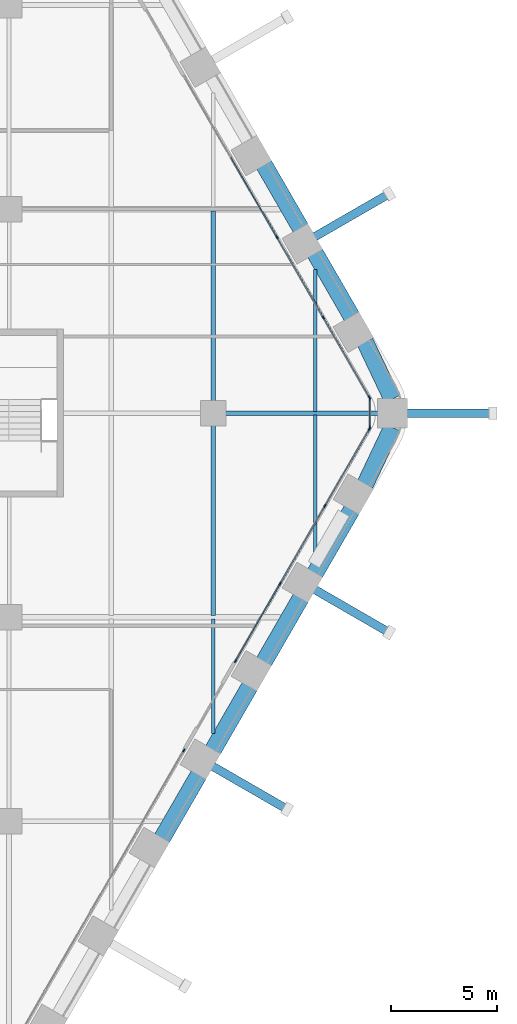
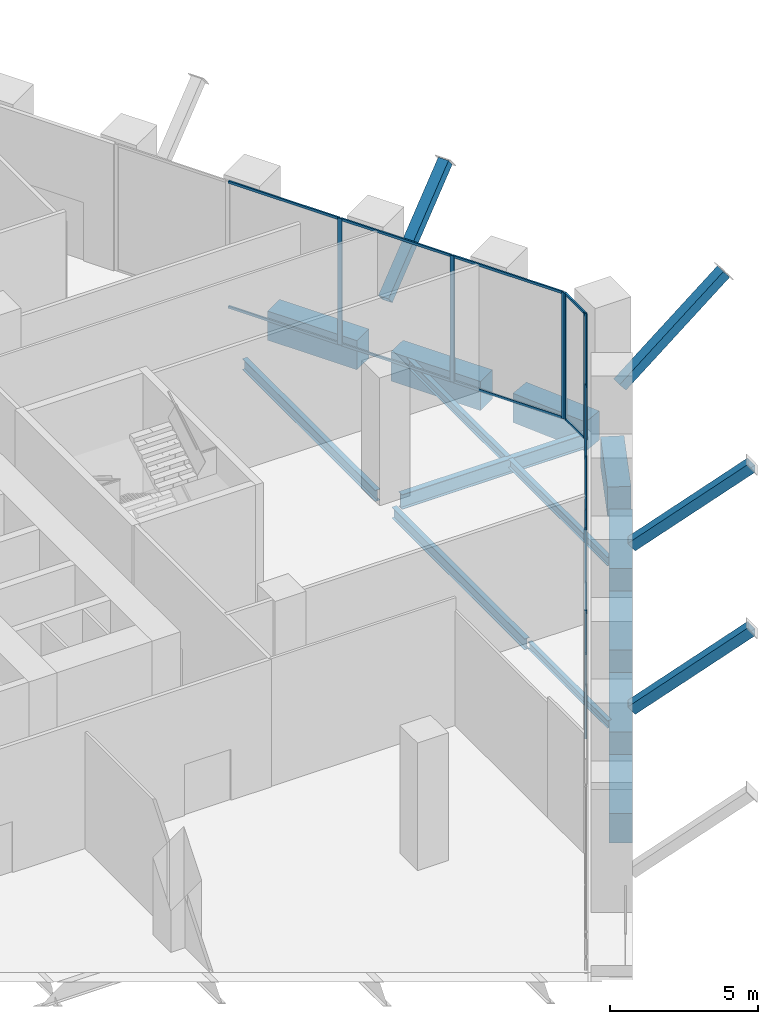
# One storey, part 12 of 29: 28 members, 14 beams, 4 elements without a shape of their own.
"""IFC4 building model written with IfcOpenShell, lengths in metres."""

from ifc_helpers import new_model, si_unit, direction, frame, origin, origin_2d, place, context, subcontext, project, spatial, rectangle, hollow_rectangle, i_section, extrude, material, material_profile, profile_set, type_object, element, aggregate, save


model = new_model("IFC4")

# Units and contexts
model_context = context("Model", 3, precision=1e-05, world=origin(), true_north=direction((0.0, 1.0)))
body_context = subcontext(model_context, "Body", "Model", "MODEL_VIEW")
ifc_project = project(units=[si_unit("LENGTHUNIT", "METRE"), si_unit("AREAUNIT", "SQUARE_METRE"), si_unit("VOLUMEUNIT", "CUBIC_METRE"), si_unit("PLANEANGLEUNIT", "RADIAN"), si_unit("MASSUNIT", "GRAM", prefix="KILO")], contexts=[model_context])

# Site, building, storey
site_placement = place(None, origin())
site = spatial("IfcSite", under=ifc_project, at=site_placement, CompositionType="ELEMENT")
building_placement = place(site_placement, origin())
building = spatial("IfcBuilding", under=site, at=building_placement, Name="Kolab Exchange Tower", CompositionType="ELEMENT")
storey_placement = place(building_placement, frame((0.0, 0.0, 55.39990234375)))
storey = spatial("IfcBuildingStorey", under=building, at=storey_placement, Name="L10", CompositionType="ELEMENT", Elevation=55.39990234375)

# Beams
ifc_material_1 = material(Name="Steel S355", Category="steel")
ifc_material_profile_1 = material_profile(ifc_material_1, i_section(OverallWidth=0.1650390625, OverallDepth=0.31005859375, WebThickness=0.005859375, FlangeThickness=0.009765625, at=origin_2d()), Name="W310X39")
ifc_profile_set_1 = profile_set([ifc_material_profile_1], Name="Steel S355")
beam_type_1 = type_object("IfcBeamType", Name="FLOOR BEAM W310X39", PredefinedType="BEAM", material=ifc_profile_set_1)
beam_1_placement = place(storey_placement, frame((28.800048828125, -15.067626953125, -0.40478515625), z_axis=(0.0, 1.0, 0.0), x_axis=(-1.0, 0.0, 0.0)))
element("IfcBeam", 1, at=beam_1_placement, inside=storey, type_object=beam_type_1, Name="beam/L10/fr/058", PredefinedType="BEAM", context=body_context, shape_type="SweptSolid", body=[
    extrude(i_section(OverallWidth=0.1650390625, OverallDepth=0.31005859375, WebThickness=0.005859375, FlangeThickness=0.009765625, at=origin_2d()), origin(), (0.0, 0.0, 1.0), 5.3740234375),
])
ifc_material_profile_2 = material_profile(ifc_material_1, i_section(OverallWidth=0.1708984375, OverallDepth=0.35498046875, WebThickness=0.007080078125, FlangeThickness=0.01171875, at=origin_2d()), Name="W360X51")
ifc_profile_set_2 = profile_set([ifc_material_profile_2], Name="Steel S355")
beam_type_2 = type_object("IfcBeamType", Name="FLOOR BEAM W360X51", PredefinedType="BEAM", material=ifc_profile_set_2)
for number, where, z_axis, x_axis, name in (
    (2, (33.60009765625, -6.75390625, -0.427490234375), (0.0, 1.0, 0.0), (-1.0, 0.0, 0.0), "beam/L10/fr/062"),
    (3, (33.60009765625, 0.073974609375, -0.427490234375), (0.0, 1.0, 0.0), (-1.0, 0.0, 0.0), "beam/L10/fr/063"),
):
    element("IfcBeam", number, at=place(storey_placement, frame(where, z_axis=z_axis, x_axis=x_axis)), inside=storey, type_object=beam_type_2, Name=name, PredefinedType="BEAM", context=body_context, shape_type="SweptSolid", body=[
        extrude(i_section(OverallWidth=0.1708984375, OverallDepth=0.35498046875, WebThickness=0.007080078125, FlangeThickness=0.01171875, at=origin_2d()), origin(), (0.0, 0.0, 1.0), 6.679931640625),
    ])
ifc_material_profile_3 = material_profile(ifc_material_1, i_section(OverallWidth=0.18994140625, OverallDepth=0.45703125, WebThickness=0.009033203125, FlangeThickness=0.014404296875, at=origin_2d()), Name="W460X74")
ifc_profile_set_3 = profile_set([ifc_material_profile_3], Name="Steel S355")
beam_type_3 = type_object("IfcBeamType", Name="FLOOR BEAM W460X74", PredefinedType="BEAM", material=ifc_profile_set_3)
for number, where, z_axis, x_axis, name in (
    (4, (28.800048828125, -9.506591796875, -0.478515625), (0.0, 1.0, 0.0), (-1.0, 0.0, 0.0), "beam/L10/fr/059"),
    (5, (28.800048828125, 0.56005859375, -0.478515625), (0.0, 1.0, 0.0), (-1.0, 0.0, 0.0), "beam/L10/fr/060"),
):
    element("IfcBeam", number, at=place(storey_placement, frame(where, z_axis=z_axis, x_axis=x_axis)), inside=storey, type_object=beam_type_3, Name=name, PredefinedType="BEAM", context=body_context, shape_type="SweptSolid", body=[
        extrude(i_section(OverallWidth=0.18994140625, OverallDepth=0.45703125, WebThickness=0.009033203125, FlangeThickness=0.014404296875, at=origin_2d()), origin(), (0.0, 0.0, 1.0), 8.946533203125),
    ])
ifc_material_profile_4 = material_profile(ifc_material_1, i_section(OverallWidth=0.22802734375, OverallDepth=0.60791015625, WebThickness=0.01123046875, FlangeThickness=0.017333984375, at=origin_2d()), Name="W610X113")
ifc_profile_set_4 = profile_set([ifc_material_profile_4], Name="Steel S355")
beam_type_4 = type_object("IfcBeamType", Name="FLOOR GIRDER W610X113", PredefinedType="BEAM", material=ifc_profile_set_4)
beam_2_placement = place(storey_placement, frame((29.360107421875, 0.0, -0.553955078125), z_axis=(1.0, 0.0, 0.0), x_axis=(0.0, 1.0, 0.0)))
element("IfcBeam", 6, at=beam_2_placement, inside=storey, type_object=beam_type_4, Name="beam/L10/gd/025", PredefinedType="BEAM", context=body_context, shape_type="SweptSolid", body=[
    extrude(i_section(OverallWidth=0.22802734375, OverallDepth=0.60791015625, WebThickness=0.01123046875, FlangeThickness=0.017333984375, at=origin_2d()), origin(), (0.0, 0.0, 1.0), 7.2158203125),
])

# Members
ifc_material_profile_5 = material_profile(ifc_material_1, hollow_rectangle(XDim=0.39990234375, YDim=0.39990234375, WallThickness=0.02001953125, at=origin_2d()), Name="HSS400X400X20")
ifc_profile_set_5 = profile_set([ifc_material_profile_5], Name="Steel S355")
member_type_1 = type_object("IfcMemberType", Name="LEDGE STRUT HSS400X400X20", PredefinedType="STRUT", material=ifc_profile_set_5)
member_1_placement = place(storey_placement, frame((33.5654296875, 8.293701171875, 1.22802734375), z_axis=(0.675602790468, 0.39005913672, 0.625631472493), x_axis=(-0.499999695987, 0.866025579307, 0.0)))
element("IfcMember", 7, at=member_1_placement, inside=storey, type_object=member_type_1, Name="mem/L10/ledge/strut-3", PredefinedType="STRUT", context=body_context, shape_type="SweptSolid", body=[
    extrude(hollow_rectangle(XDim=0.39990234375, YDim=0.39990234375, WallThickness=0.02001953125, at=origin_2d()), origin(), (0.0, 0.0, 1.0), 5.1787109375),
])
member_2_placement = place(storey_placement, frame((37.89599609375, 0.0, 1.22802734375), z_axis=(0.780100108705, 0.0, 0.625654713399), x_axis=(0.0, 1.0, 0.0)))
element("IfcMember", 8, at=member_2_placement, inside=storey, type_object=member_type_1, Name="mem/L10/ledge/strut-4", PredefinedType="STRUT", context=body_context, shape_type="SweptSolid", body=[
    extrude(hollow_rectangle(XDim=0.39990234375, YDim=0.39990234375, WallThickness=0.02001953125, at=origin_2d()), origin(), (0.0, 0.0, 1.0), 5.178466796875),
])
for number, where, z_axis, x_axis, name in (
    (9, (33.5654296875, -8.293701171875, 1.22802734375), (0.675602790468, -0.39005913672, 0.625631472493), (0.499999695987, 0.866025579307, 0.0), "mem/L10/ledge/strut-5"),
    (10, (28.765380859375, -16.607666015625, 1.22802734375), (0.675602790468, -0.39005913672, 0.625631472493), (0.499999695987, 0.866025579307, 0.0), "mem/L10/ledge/strut-6"),
):
    element("IfcMember", number, at=place(storey_placement, frame(where, z_axis=z_axis, x_axis=x_axis)), inside=storey, type_object=member_type_1, Name=name, PredefinedType="STRUT", context=body_context, shape_type="SweptSolid", body=[
        extrude(hollow_rectangle(XDim=0.39990234375, YDim=0.39990234375, WallThickness=0.02001953125, at=origin_2d()), origin(), (0.0, 0.0, 1.0), 5.1787109375),
    ])

# Beams
ifc_material_2 = material(Name="Concrete C80/95", Category="concrete")
ifc_material_profile_6 = material_profile(ifc_material_2, rectangle(XDim=0.800048828125, YDim=1.199951171875, at=origin_2d()), Name="RC800X1200")
ifc_profile_set_6 = profile_set([ifc_material_profile_6], Name="Concrete C80/95")
beam_type_5 = type_object("IfcBeamType", Name="SPANDREL BEAM 800X1200 C80/95", PredefinedType="BEAM", material=ifc_profile_set_6)
beam_3_placement = place(storey_placement, frame((31.18359375, 11.69921875, -0.849853515625), z_axis=(0.499979528911, -0.866037222451, 0.0), x_axis=(0.866037222451, 0.499979528911, 0.0)))
element("IfcBeam", 11, at=beam_3_placement, inside=storey, type_object=beam_type_5, Name="beam/L10/sp/F2-06", PredefinedType="BEAM", context=body_context, shape_type="SweptSolid", body=[
    extrude(rectangle(XDim=0.800048828125, YDim=1.199951171875, at=origin_2d()), origin(), (0.0, 0.0, 1.0), 3.480224609375),
])
beam_4_placement = place(storey_placement, frame((33.58349609375, 7.542236328125, -0.849853515625), z_axis=(0.500009906705, -0.86601968407, 0.0), x_axis=(0.86601968407, 0.500009906705, 0.0)))
element("IfcBeam", 12, at=beam_4_placement, inside=storey, type_object=beam_type_5, Name="beam/L10/sp/F2-07", PredefinedType="BEAM", context=body_context, shape_type="SweptSolid", body=[
    extrude(rectangle(XDim=0.800048828125, YDim=1.199951171875, at=origin_2d()), origin(), (0.0, 0.0, 1.0), 3.47998046875),
])
for number, where, z_axis, x_axis, name in (
    (13, (35.93798828125, 3.35888671875, -0.849853515625), (0.429555669245, -0.903040379507, 0.0), (0.903040379507, 0.429555669245, 0.0), "beam/L10/sp/F2-08"),
    (14, (37.219970703125, -0.663818359375, -0.849853515625), (-0.429555669245, -0.903040379507, 0.0), (0.903040379507, -0.429555669245, 0.0), "beam/L10/sp/F3-01"),
):
    element("IfcBeam", number, at=place(storey_placement, frame(where, z_axis=z_axis, x_axis=x_axis)), inside=storey, type_object=beam_type_5, Name=name, PredefinedType="BEAM", context=body_context, shape_type="SweptSolid", body=[
        extrude(rectangle(XDim=0.800048828125, YDim=1.199951171875, at=origin_2d()), origin(), (0.0, 0.0, 1.0), 2.984375),
    ])
beam_5_placement = place(storey_placement, frame((35.323486328125, -4.528564453125, -0.849853515625), z_axis=(-0.500009906705, -0.86601968407, 0.0), x_axis=(0.86601968407, -0.500009906705, 0.0)))
element("IfcBeam", 15, at=beam_5_placement, inside=storey, type_object=beam_type_5, Name="beam/L10/sp/F3-02", PredefinedType="BEAM", context=body_context, shape_type="SweptSolid", body=[
    extrude(rectangle(XDim=0.800048828125, YDim=1.199951171875, at=origin_2d()), origin(), (0.0, 0.0, 1.0), 3.47998046875),
])
for number, where, z_axis, x_axis, name in (
    (16, (32.923583984375, -8.685302734375, -0.849853515625), (-0.499979528911, -0.866037222451, 0.0), (0.866037222451, -0.499979528911, 0.0), "beam/L10/sp/F3-03"),
    (17, (30.523681640625, -12.84228515625, -0.849853515625), (-0.499979528911, -0.866037222451, 0.0), (0.866037222451, -0.499979528911, 0.0), "beam/L10/sp/F3-04"),
):
    element("IfcBeam", number, at=place(storey_placement, frame(where, z_axis=z_axis, x_axis=x_axis)), inside=storey, type_object=beam_type_5, Name=name, PredefinedType="BEAM", context=body_context, shape_type="SweptSolid", body=[
        extrude(rectangle(XDim=0.800048828125, YDim=1.199951171875, at=origin_2d()), origin(), (0.0, 0.0, 1.0), 3.480224609375),
    ])
beam_6_placement = place(storey_placement, frame((28.12353515625, -16.999267578125, -0.849853515625), z_axis=(-0.500009906705, -0.86601968407, 0.0), x_axis=(0.86601968407, -0.500009906705, 0.0)))
element("IfcBeam", 18, at=beam_6_placement, inside=storey, type_object=beam_type_5, Name="beam/L10/sp/F3-05", PredefinedType="BEAM", context=body_context, shape_type="SweptSolid", body=[
    extrude(rectangle(XDim=0.800048828125, YDim=1.199951171875, at=origin_2d()), origin(), (0.0, 0.0, 1.0), 3.47998046875),
])

# Curtain wall, members
ifc_material_3 = material(Name="Aluminium EN AW-6063 T6", Category="aluminium")
curtain_wall_type = type_object("IfcCurtainWallType", Name="UNITISED LOW ZONE CURTAIN WALL", PredefinedType="NOTDEFINED", material=ifc_material_3)
curtain_wall_1_placement = place(storey_placement, origin())
curtain_wall_1 = element("IfcCurtainWall", 19, at=curtain_wall_1_placement, inside=storey, type_object=curtain_wall_type, Name="cw/L10/F2-2", PredefinedType="NOTDEFINED")
ifc_material_profile_7 = material_profile(ifc_material_3, rectangle(XDim=0.06005859375, YDim=0.159912109375, at=origin_2d()), Name="RECT 60X160")
ifc_profile_set_7 = profile_set([ifc_material_profile_7], Name="Aluminium EN AW-6063 T6")
member_type_2 = type_object("IfcMemberType", Name="UNITISED LOW ZONE MULLION 60 X 160", PredefinedType="MULLION", material=ifc_profile_set_7)
member_3_placement = place(storey_placement, frame((31.798583984375, 8.27392578125, 0.0), z_axis=(0.0, 0.0, 1.0), x_axis=(0.866025422102, 0.499999968274, 0.0)))
member_3 = element("IfcMember", 20, at=member_3_placement, type_object=member_type_2, Name="CW1 mullion 3", PredefinedType="MULLION", context=body_context, shape_type="SweptSolid", body=[
    extrude(rectangle(XDim=0.06005859375, YDim=0.159912109375, at=origin_2d()), origin(), (0.0, 0.0, 1.0), 5.2001953125),
])
member_4_placement = place(storey_placement, frame((33.982177734375, 4.491943359375, 0.0), z_axis=(0.0, 0.0, 1.0), x_axis=(0.866025422102, 0.499999968274, 0.0)))
member_4 = element("IfcMember", 21, at=member_4_placement, type_object=member_type_2, Name="CW1 mullion 4", PredefinedType="MULLION", context=body_context, shape_type="SweptSolid", body=[
    extrude(rectangle(XDim=0.06005859375, YDim=0.159912109375, at=origin_2d()), origin(), (0.0, 0.0, 1.0), 5.2001953125),
])
member_5_placement = place(storey_placement, frame((36.150634765625, 0.736083984375, 0.0), z_axis=(0.0, 0.0, 1.0), x_axis=(0.866025422102, 0.499999968274, 0.0)))
member_5 = element("IfcMember", 22, at=member_5_placement, type_object=member_type_2, Name="CW1 mullion 5", PredefinedType="MULLION", context=body_context, shape_type="SweptSolid", body=[
    extrude(rectangle(XDim=0.06005859375, YDim=0.159912109375, at=origin_2d()), origin(), (0.0, 0.0, 1.0), 5.2001953125),
])

curtain_wall_2_placement = place(storey_placement, origin())
curtain_wall_2 = element("IfcCurtainWall", 23, at=curtain_wall_2_placement, inside=storey, type_object=curtain_wall_type, Name="cw/L10/F3-1", PredefinedType="NOTDEFINED")
member_6_placement = place(storey_placement, frame((36.150634765625, -0.736083984375, 0.0), z_axis=(0.0, 0.0, 1.0), x_axis=(0.866025427826, -0.499999958358, 0.0)))
member_6 = element("IfcMember", 24, at=member_6_placement, type_object=member_type_2, Name="CW1 mullion 1", PredefinedType="MULLION", context=body_context, shape_type="SweptSolid", body=[
    extrude(rectangle(XDim=0.06005859375, YDim=0.159912109375, at=origin_2d()), origin(), (0.0, 0.0, 1.0), 5.2001953125),
])
member_7_placement = place(storey_placement, frame((34.054443359375, -4.366943359375, 0.0), z_axis=(0.0, 0.0, 1.0), x_axis=(0.866025427826, -0.499999958358, 0.0)))
member_7 = element("IfcMember", 25, at=member_7_placement, type_object=member_type_2, Name="CW1 mullion 2", PredefinedType="MULLION", context=body_context, shape_type="SweptSolid", body=[
    extrude(rectangle(XDim=0.06005859375, YDim=0.159912109375, at=origin_2d()), origin(), (0.0, 0.0, 1.0), 5.2001953125),
])
member_8_placement = place(storey_placement, frame((31.943115234375, -8.02392578125, 0.0), z_axis=(0.0, 0.0, 1.0), x_axis=(0.866025427826, -0.499999958358, 0.0)))
member_8 = element("IfcMember", 26, at=member_8_placement, type_object=member_type_2, Name="CW1 mullion 3", PredefinedType="MULLION", context=body_context, shape_type="SweptSolid", body=[
    extrude(rectangle(XDim=0.06005859375, YDim=0.159912109375, at=origin_2d()), origin(), (0.0, 0.0, 1.0), 5.2001953125),
])
member_9_placement = place(storey_placement, frame((29.8466796875, -11.65478515625, 0.0), z_axis=(0.0, 0.0, 1.0), x_axis=(0.866025427826, -0.499999958358, 0.0)))
member_9 = element("IfcMember", 27, at=member_9_placement, type_object=member_type_2, Name="CW1 mullion 4", PredefinedType="MULLION", context=body_context, shape_type="SweptSolid", body=[
    extrude(rectangle(XDim=0.06005859375, YDim=0.159912109375, at=origin_2d()), origin(), (0.0, 0.0, 1.0), 5.2001953125),
])

# Curtain wall, member
curtain_wall_3_placement = place(storey_placement, origin())
curtain_wall_3 = element("IfcCurtainWall", 28, at=curtain_wall_3_placement, inside=storey, type_object=curtain_wall_type, Name="cw/L10/F3-2", PredefinedType="NOTDEFINED")
member_10_placement = place(storey_placement, frame((27.416748046875, -15.86376953125, 0.0), z_axis=(0.0, 0.0, 1.0), x_axis=(0.866025397318, -0.5000000112, 0.0)))
member_10 = element("IfcMember", 29, at=member_10_placement, type_object=member_type_2, Name="CW1 mullion 1", PredefinedType="MULLION", context=body_context, shape_type="SweptSolid", body=[
    extrude(rectangle(XDim=0.06005859375, YDim=0.159912109375, at=origin_2d()), origin(), (0.0, 0.0, 1.0), 5.2001953125),
])
aggregate(curtain_wall_3, [member_10])

# Curtain wall, members
curtain_wall_4_placement = place(storey_placement, origin())
curtain_wall_4 = element("IfcCurtainWall", 30, at=curtain_wall_4_placement, inside=storey, type_object=curtain_wall_type, Name="cw/L10/F2F3-corner", PredefinedType="NOTDEFINED")
member_11_placement = place(storey_placement, frame((36.165771484375, 0.679931640625, 0.0), z_axis=(0.0, 0.0, 1.0), x_axis=(1.0, 0.0, 0.0)))
member_11 = element("IfcMember", 31, at=member_11_placement, type_object=member_type_2, Name="CW1 mullion 1", PredefinedType="MULLION", context=body_context, shape_type="SweptSolid", body=[
    extrude(rectangle(XDim=0.06005859375, YDim=0.159912109375, at=origin_2d()), origin(), (0.0, 0.0, 1.0), 5.2001953125),
])
member_12_placement = place(storey_placement, frame((36.165771484375, -0.679931640625, 0.0), z_axis=(0.0, 0.0, 1.0), x_axis=(1.0, 0.0, 0.0)))
member_12 = element("IfcMember", 32, at=member_12_placement, type_object=member_type_2, Name="CW1 mullion 2", PredefinedType="MULLION", context=body_context, shape_type="SweptSolid", body=[
    extrude(rectangle(XDim=0.06005859375, YDim=0.159912109375, at=origin_2d()), origin(), (0.0, 0.0, 1.0), 5.2001953125),
])

# Member
ifc_material_profile_8 = material_profile(ifc_material_3, rectangle(XDim=0.06005859375, YDim=0.10009765625, at=origin_2d()), Name="RECT 60X100")
ifc_profile_set_8 = profile_set([ifc_material_profile_8], Name="Aluminium EN AW-6063 T6")
member_type_3 = type_object("IfcMemberType", Name="UNITISED LOW ZONE TRANSOM 60 X 100", PredefinedType="USERDEFINED", material=ifc_profile_set_8)
member_13_placement = place(storey_placement, frame((29.630126953125, 12.02978515625, 0.030029296875), z_axis=(0.500010313095, -0.866019449435, 0.0), x_axis=(0.866019449435, 0.500010313095, 0.0)))
member_13 = element("IfcMember", 33, at=member_13_placement, type_object=member_type_3, Name="CW1 transom 2.1", ObjectType="TRANSOM", PredefinedType="USERDEFINED", context=body_context, shape_type="SweptSolid", body=[
    extrude(rectangle(XDim=0.06005859375, YDim=0.10009765625, at=origin_2d()), origin(), (0.0, 0.0, 1.0), 4.30712890625),
])

member_14_placement = place(storey_placement, frame((29.630126953125, 12.02978515625, 5.170166015625), z_axis=(0.500010313095, -0.866019449435, 0.0), x_axis=(0.866019449435, 0.500010313095, 0.0)))
member_14 = element("IfcMember", 34, at=member_14_placement, type_object=member_type_3, Name="CW1 transom 2.2", ObjectType="TRANSOM", PredefinedType="USERDEFINED", context=body_context, shape_type="SweptSolid", body=[
    extrude(rectangle(XDim=0.06005859375, YDim=0.10009765625, at=origin_2d()), origin(), (0.0, 0.0, 1.0), 4.30712890625),
])

member_15_placement = place(storey_placement, frame((31.813720703125, 8.247802734375, 0.030029296875), z_axis=(0.499967798808, -0.866043994353, 0.0), x_axis=(0.866043994353, 0.499967798808, 0.0)))
member_15 = element("IfcMember", 35, at=member_15_placement, type_object=member_type_3, Name="CW1 transom 3.1", ObjectType="TRANSOM", PredefinedType="USERDEFINED", context=body_context, shape_type="SweptSolid", body=[
    extrude(rectangle(XDim=0.06005859375, YDim=0.10009765625, at=origin_2d()), origin(), (0.0, 0.0, 1.0), 4.306884765625),
])

member_16_placement = place(storey_placement, frame((31.813720703125, 8.247802734375, 5.170166015625), z_axis=(0.499967798808, -0.866043994353, 0.0), x_axis=(0.866043994353, 0.499967798808, 0.0)))
member_16 = element("IfcMember", 36, at=member_16_placement, type_object=member_type_3, Name="CW1 transom 3.2", ObjectType="TRANSOM", PredefinedType="USERDEFINED", context=body_context, shape_type="SweptSolid", body=[
    extrude(rectangle(XDim=0.06005859375, YDim=0.10009765625, at=origin_2d()), origin(), (0.0, 0.0, 1.0), 4.306884765625),
])

member_17_placement = place(storey_placement, frame((33.9970703125, 4.4658203125, 0.030029296875), z_axis=(0.500043627578, -0.866000213925, 0.0), x_axis=(0.866000213925, 0.500043627578, 0.0)))
member_17 = element("IfcMember", 37, at=member_17_placement, type_object=member_type_3, Name="CW1 transom 4.1", ObjectType="TRANSOM", PredefinedType="USERDEFINED", context=body_context, shape_type="SweptSolid", body=[
    extrude(rectangle(XDim=0.06005859375, YDim=0.10009765625, at=origin_2d()), origin(), (0.0, 0.0, 1.0), 4.27685546875),
])

member_18_placement = place(storey_placement, frame((33.9970703125, 4.4658203125, 5.170166015625), z_axis=(0.500043627578, -0.866000213925, 0.0), x_axis=(0.866000213925, 0.500043627578, 0.0)))
member_18 = element("IfcMember", 38, at=member_18_placement, type_object=member_type_3, Name="CW1 transom 4.2", ObjectType="TRANSOM", PredefinedType="USERDEFINED", context=body_context, shape_type="SweptSolid", body=[
    extrude(rectangle(XDim=0.06005859375, YDim=0.10009765625, at=origin_2d()), origin(), (0.0, 0.0, 1.0), 4.27685546875),
])

aggregate(curtain_wall_1, [member_3, member_4, member_5, member_13, member_14, member_15, member_16, member_17, member_18])

member_19_placement = place(storey_placement, frame((36.1357421875, -0.761962890625, 0.030029296875), z_axis=(-0.500027577057, -0.866009481578, 0.0), x_axis=(0.866009481578, -0.500027577057, 0.0)))
member_19 = element("IfcMember", 39, at=member_19_placement, type_object=member_type_3, Name="CW1 transom 1.1", ObjectType="TRANSOM", PredefinedType="USERDEFINED", context=body_context, shape_type="SweptSolid", body=[
    extrude(rectangle(XDim=0.06005859375, YDim=0.10009765625, at=origin_2d()), origin(), (0.0, 0.0, 1.0), 4.132568359375),
])

member_20_placement = place(storey_placement, frame((36.1357421875, -0.761962890625, 5.170166015625), z_axis=(-0.500027577057, -0.866009481578, 0.0), x_axis=(0.866009481578, -0.500027577057, 0.0)))
member_20 = element("IfcMember", 40, at=member_20_placement, type_object=member_type_3, Name="CW1 transom 1.2", ObjectType="TRANSOM", PredefinedType="USERDEFINED", context=body_context, shape_type="SweptSolid", body=[
    extrude(rectangle(XDim=0.06005859375, YDim=0.10009765625, at=origin_2d()), origin(), (0.0, 0.0, 1.0), 4.132568359375),
])

member_21_placement = place(storey_placement, frame((34.039306640625, -4.392822265625, 0.030029296875), z_axis=(-0.49999322259, -0.866029316688, 0.0), x_axis=(0.866029316688, -0.49999322259, 0.0)))
member_21 = element("IfcMember", 41, at=member_21_placement, type_object=member_type_3, Name="CW1 transom 2.1", ObjectType="TRANSOM", PredefinedType="USERDEFINED", context=body_context, shape_type="SweptSolid", body=[
    extrude(rectangle(XDim=0.06005859375, YDim=0.10009765625, at=origin_2d()), origin(), (0.0, 0.0, 1.0), 4.16259765625),
])

member_22_placement = place(storey_placement, frame((34.039306640625, -4.392822265625, 5.170166015625), z_axis=(-0.49999322259, -0.866029316688, 0.0), x_axis=(0.866029316688, -0.49999322259, 0.0)))
member_22 = element("IfcMember", 42, at=member_22_placement, type_object=member_type_3, Name="CW1 transom 2.2", ObjectType="TRANSOM", PredefinedType="USERDEFINED", context=body_context, shape_type="SweptSolid", body=[
    extrude(rectangle(XDim=0.06005859375, YDim=0.10009765625, at=origin_2d()), origin(), (0.0, 0.0, 1.0), 4.16259765625),
])

member_23_placement = place(storey_placement, frame((31.927978515625, -8.0498046875, 0.030029296875), z_axis=(-0.500001996123, -0.866024251319, 0.0), x_axis=(0.866024251319, -0.500001996123, 0.0)))
member_23 = element("IfcMember", 43, at=member_23_placement, type_object=member_type_3, Name="CW1 transom 3.1", ObjectType="TRANSOM", PredefinedType="USERDEFINED", context=body_context, shape_type="SweptSolid", body=[
    extrude(rectangle(XDim=0.06005859375, YDim=0.10009765625, at=origin_2d()), origin(), (0.0, 0.0, 1.0), 4.1328125),
])

member_24_placement = place(storey_placement, frame((31.927978515625, -8.0498046875, 5.170166015625), z_axis=(-0.500001996123, -0.866024251319, 0.0), x_axis=(0.866024251319, -0.500001996123, 0.0)))
member_24 = element("IfcMember", 44, at=member_24_placement, type_object=member_type_3, Name="CW1 transom 3.2", ObjectType="TRANSOM", PredefinedType="USERDEFINED", context=body_context, shape_type="SweptSolid", body=[
    extrude(rectangle(XDim=0.06005859375, YDim=0.10009765625, at=origin_2d()), origin(), (0.0, 0.0, 1.0), 4.1328125),
])

aggregate(curtain_wall_2, [member_6, member_7, member_8, member_9, member_19, member_20, member_21, member_22, member_23, member_24])

member_25_placement = place(storey_placement, frame((36.165771484375, 0.64990234375, 0.030029296875), z_axis=(0.0, -1.0, 0.0), x_axis=(1.0, 0.0, 0.0)))
member_25 = element("IfcMember", 45, at=member_25_placement, type_object=member_type_3, Name="CW1 transom 1.1", ObjectType="TRANSOM", PredefinedType="USERDEFINED", context=body_context, shape_type="SweptSolid", body=[
    extrude(rectangle(XDim=0.06005859375, YDim=0.10009765625, at=origin_2d()), origin(), (0.0, 0.0, 1.0), 1.2998046875),
])

member_26_placement = place(storey_placement, frame((36.165771484375, 0.64990234375, 5.170166015625), z_axis=(0.0, -1.0, 0.0), x_axis=(1.0, 0.0, 0.0)))
member_26 = element("IfcMember", 46, at=member_26_placement, type_object=member_type_3, Name="CW1 transom 1.2", ObjectType="TRANSOM", PredefinedType="USERDEFINED", context=body_context, shape_type="SweptSolid", body=[
    extrude(rectangle(XDim=0.06005859375, YDim=0.10009765625, at=origin_2d()), origin(), (0.0, 0.0, 1.0), 1.2998046875),
])

aggregate(curtain_wall_4, [member_11, member_12, member_25, member_26])

save(model, "model.ifc")
